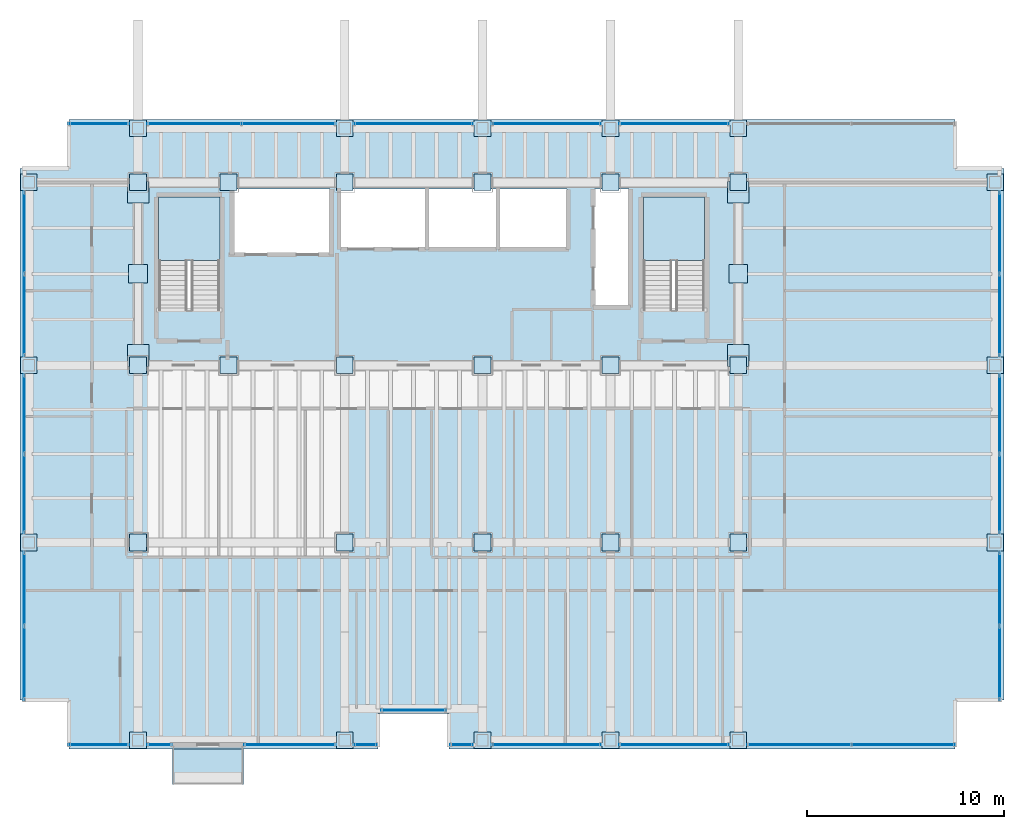
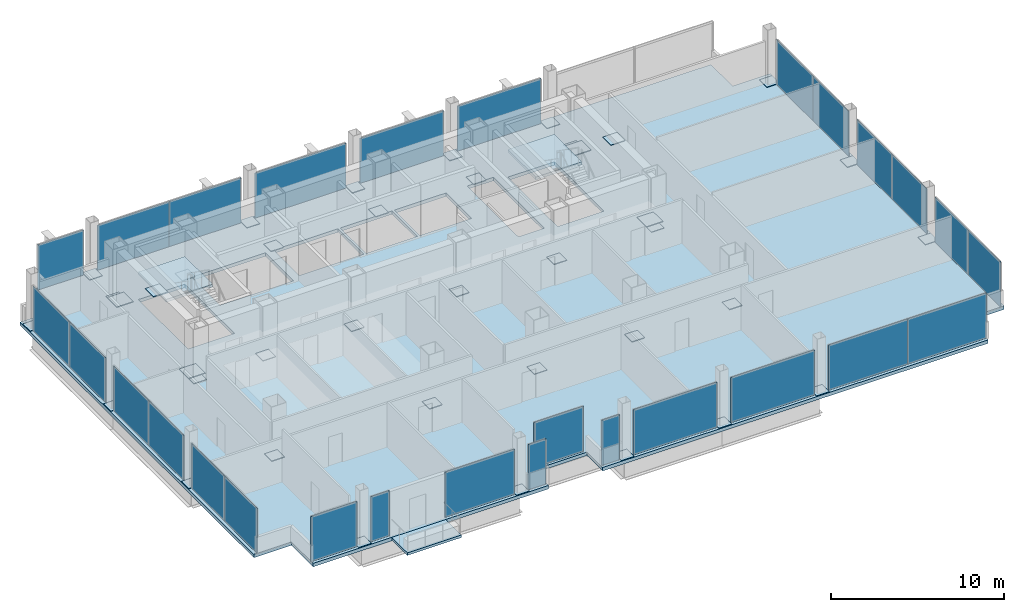
# One storey, part 17 of 21: 67 plates, 4 slabs, 7 openings, 22 elements without a shape of their own.
"""IFC4 building model written with IfcOpenShell, lengths in metres."""

from ifc_helpers import new_model, si_unit, direction, frame, origin, origin_2d, place, context, subcontext, project, spatial, polyline, rectangle, outline, extrude, material, layer, layer_set, type_object, element, aggregate, save


model = new_model("IFC4")

# Units and contexts
model_context = context("Model", 3, precision=1e-05, world=origin(), true_north=direction((0.0, 1.0)))
body_context = subcontext(model_context, "Body", "Model", "MODEL_VIEW")
ifc_project = project(units=[si_unit("LENGTHUNIT", "METRE"), si_unit("AREAUNIT", "SQUARE_METRE"), si_unit("VOLUMEUNIT", "CUBIC_METRE"), si_unit("PLANEANGLEUNIT", "RADIAN"), si_unit("MASSUNIT", "GRAM", prefix="KILO")], contexts=[model_context])

# Site, building, storey
site_placement = place(None, origin())
site = spatial("IfcSite", under=ifc_project, at=site_placement, CompositionType="ELEMENT")
building_placement = place(site_placement, origin())
building = spatial("IfcBuilding", under=site, at=building_placement, Name="Noeulbin Bourse Tower", CompositionType="ELEMENT")
storey_placement = place(building_placement, frame((0.0, 0.0, 81.10009765625)))
storey = spatial("IfcBuildingStorey", under=building, at=storey_placement, Name="L20", CompositionType="ELEMENT", Elevation=81.10009765625)

# Curtain wall, plate
ifc_material_1 = material(Name="Dark Solar-Control Double Glazing", Category="glass")
curtain_wall_type = type_object("IfcCurtainWallType", Name="CW-SYS-2", PredefinedType="NOTDEFINED", material=ifc_material_1)
curtain_wall_1_placement = place(storey_placement, origin())
curtain_wall_1 = element("IfcCurtainWall", 1, at=curtain_wall_1_placement, inside=storey, type_object=curtain_wall_type, Name="Unitised Curtain Wall CW-L20-SREC", PredefinedType="NOTDEFINED")
ifc_layer_1 = layer(ifc_material_1, 0.035888671875)
ifc_layer_set_1 = layer_set([ifc_layer_1], Name="Dark Solar-Control Double Glazing")
plate_type_1 = type_object("IfcPlateType", Name="CW-SYS-2-PNL", PredefinedType="CURTAIN_PANEL", material=ifc_layer_set_1)
plate_1_placement = place(storey_placement, frame((27.5, 11.47998046875, 0.0), z_axis=(0.0, 0.0, 1.0), x_axis=(1.0, 0.0, 0.0)))
plate_1 = element("IfcPlate", 2, at=plate_1_placement, type_object=plate_type_1, Name="Glazed Curtain Panel CW-L20-SREC-P00", PredefinedType="CURTAIN_PANEL", context=body_context, shape_type="SweptSolid", body=[
    extrude(rectangle(XDim=3.300048828125, YDim=0.035888671875, at=origin_2d()), origin(), (0.0, 0.0, 1.0), 3.179931640625),
])
aggregate(curtain_wall_1, [plate_1])

curtain_wall_2_placement = place(storey_placement, origin())
curtain_wall_2 = element("IfcCurtainWall", 3, at=curtain_wall_2_placement, inside=storey, type_object=curtain_wall_type, Name="Unitised Curtain Wall CW-L20-S1-S1", PredefinedType="NOTDEFINED")
plate_2_placement = place(storey_placement, frame((11.510009765625, 9.719970703125, 0.0), z_axis=(0.0, 0.0, 1.0), x_axis=(1.0, 0.0, 0.0)))
plate_2 = element("IfcPlate", 4, at=plate_2_placement, type_object=plate_type_1, Name="Glazed Curtain Panel CW-L20-S1-S1-P00", PredefinedType="CURTAIN_PANEL", context=body_context, shape_type="SweptSolid", body=[
    extrude(rectangle(XDim=3.06005859375, YDim=0.035888671875, at=origin_2d()), origin(), (0.0, 0.0, 1.0), 3.179931640625),
])
aggregate(curtain_wall_2, [plate_2])

curtain_wall_3_placement = place(storey_placement, origin())
curtain_wall_3 = element("IfcCurtainWall", 5, at=curtain_wall_3_placement, inside=storey, type_object=curtain_wall_type, Name="Unitised Curtain Wall CW-L20-S1-S2", PredefinedType="NOTDEFINED")
plate_3_placement = place(storey_placement, frame((14.580078125, 9.719970703125, 0.0), z_axis=(0.0, 0.0, 1.0), x_axis=(1.0, 0.0, 0.0)))
plate_3 = element("IfcPlate", 6, at=plate_3_placement, type_object=plate_type_1, Name="Glazed Curtain Panel CW-L20-S1-S2-P00", PredefinedType="CURTAIN_PANEL", context=body_context, shape_type="SweptSolid", body=[
    extrude(rectangle(XDim=1.239990234375, YDim=0.035888671875, at=origin_2d()), origin(), (0.0, 0.0, 1.0), 3.179931640625),
])
aggregate(curtain_wall_3, [plate_3])

curtain_wall_4_placement = place(storey_placement, origin())
curtain_wall_4 = element("IfcCurtainWall", 7, at=curtain_wall_4_placement, inside=storey, type_object=curtain_wall_type, Name="Unitised Curtain Wall CW-L20-S2-S1", PredefinedType="NOTDEFINED")
plate_4_placement = place(storey_placement, frame((21.219970703125, 9.719970703125, 0.0), z_axis=(0.0, 0.0, 1.0), x_axis=(1.0, 0.0, 0.0)))
plate_4 = element("IfcPlate", 8, at=plate_4_placement, type_object=plate_type_1, Name="Glazed Curtain Panel CW-L20-S2-S1-P00", PredefinedType="CURTAIN_PANEL", context=body_context, shape_type="SweptSolid", body=[
    extrude(rectangle(XDim=4.639892578125, YDim=0.035888671875, at=origin_2d()), origin(), (0.0, 0.0, 1.0), 3.179931640625),
])
aggregate(curtain_wall_4, [plate_4])

curtain_wall_5_placement = place(storey_placement, origin())
curtain_wall_5 = element("IfcCurtainWall", 9, at=curtain_wall_5_placement, inside=storey, type_object=curtain_wall_type, Name="Unitised Curtain Wall CW-L20-S2-S2", PredefinedType="NOTDEFINED")
plate_5_placement = place(storey_placement, frame((25.054931640625, 9.719970703125, 0.0), z_axis=(0.0, 0.0, 1.0), x_axis=(1.0, 0.0, 0.0)))
plate_5 = element("IfcPlate", 10, at=plate_5_placement, type_object=plate_type_1, Name="Glazed Curtain Panel CW-L20-S2-S2-P00", PredefinedType="CURTAIN_PANEL", context=body_context, shape_type="SweptSolid", body=[
    extrude(rectangle(XDim=1.18994140625, YDim=0.035888671875, at=origin_2d()), origin(), (0.0, 0.0, 1.0), 3.179931640625),
])
aggregate(curtain_wall_5, [plate_5])

curtain_wall_6_placement = place(storey_placement, origin())
curtain_wall_6 = element("IfcCurtainWall", 11, at=curtain_wall_6_placement, inside=storey, type_object=curtain_wall_type, Name="Unitised Curtain Wall CW-L20-S3-S1", PredefinedType="NOTDEFINED")
plate_6_placement = place(storey_placement, frame((29.945068359375, 9.719970703125, 0.0), z_axis=(0.0, 0.0, 1.0), x_axis=(1.0, 0.0, 0.0)))
plate_6 = element("IfcPlate", 12, at=plate_6_placement, type_object=plate_type_1, Name="Glazed Curtain Panel CW-L20-S3-S1-P00", PredefinedType="CURTAIN_PANEL", context=body_context, shape_type="SweptSolid", body=[
    extrude(rectangle(XDim=1.18994140625, YDim=0.035888671875, at=origin_2d()), origin(), (0.0, 0.0, 1.0), 3.179931640625),
])
aggregate(curtain_wall_6, [plate_6])

curtain_wall_7_placement = place(storey_placement, origin())
curtain_wall_7 = element("IfcCurtainWall", 13, at=curtain_wall_7_placement, inside=storey, type_object=curtain_wall_type, Name="Unitised Curtain Wall CW-L20-S3-S2", PredefinedType="NOTDEFINED")
plate_7_placement = place(storey_placement, frame((34.25, 9.719970703125, 0.0), z_axis=(0.0, 0.0, 1.0), x_axis=(1.0, 0.0, 0.0)))
plate_7 = element("IfcPlate", 14, at=plate_7_placement, type_object=plate_type_1, Name="Glazed Curtain Panel CW-L20-S3-S2-P00", PredefinedType="CURTAIN_PANEL", context=body_context, shape_type="SweptSolid", body=[
    extrude(rectangle(XDim=5.580078125, YDim=0.035888671875, at=origin_2d()), origin(), (0.0, 0.0, 1.0), 3.179931640625),
])
aggregate(curtain_wall_7, [plate_7])

curtain_wall_8_placement = place(storey_placement, origin())
curtain_wall_8 = element("IfcCurtainWall", 15, at=curtain_wall_8_placement, inside=storey, type_object=curtain_wall_type, Name="Unitised Curtain Wall CW-L20-S3-S3", PredefinedType="NOTDEFINED")
plate_8_placement = place(storey_placement, frame((40.75, 9.719970703125, 0.0), z_axis=(0.0, 0.0, 1.0), x_axis=(1.0, 0.0, 0.0)))
plate_8 = element("IfcPlate", 16, at=plate_8_placement, type_object=plate_type_1, Name="Glazed Curtain Panel CW-L20-S3-S3-P00", PredefinedType="CURTAIN_PANEL", context=body_context, shape_type="SweptSolid", body=[
    extrude(rectangle(XDim=5.580078125, YDim=0.035888671875, at=origin_2d()), origin(), (0.0, 0.0, 1.0), 3.179931640625),
])
aggregate(curtain_wall_8, [plate_8])

# Curtain wall, plates
curtain_wall_9_placement = place(storey_placement, origin())
curtain_wall_9 = element("IfcCurtainWall", 17, at=curtain_wall_9_placement, inside=storey, type_object=curtain_wall_type, Name="Unitised Curtain Wall CW-L20-S3-S4", PredefinedType="NOTDEFINED")
plate_9_placement = place(storey_placement, frame((47.10009765625, 9.719970703125, 0.0), z_axis=(0.0, 0.0, 1.0), x_axis=(1.0, 0.0, 0.0)))
plate_9 = element("IfcPlate", 18, at=plate_9_placement, type_object=plate_type_1, Name="Glazed Curtain Panel CW-L20-S3-S4-P00", PredefinedType="CURTAIN_PANEL", context=body_context, shape_type="SweptSolid", body=[
    extrude(rectangle(XDim=5.280029296875, YDim=0.035888671875, at=origin_2d()), origin(), (0.0, 0.0, 1.0), 3.179931640625),
])
plate_10_placement = place(storey_placement, frame((52.3798828125, 9.719970703125, 0.0), z_axis=(0.0, 0.0, 1.0), x_axis=(1.0, 0.0, 0.0)))
plate_10 = element("IfcPlate", 19, at=plate_10_placement, type_object=plate_type_1, Name="Glazed Curtain Panel CW-L20-S3-S4-P01", PredefinedType="CURTAIN_PANEL", context=body_context, shape_type="SweptSolid", body=[
    extrude(rectangle(XDim=5.280029296875, YDim=0.035888671875, at=origin_2d()), origin(), (0.0, 0.0, 1.0), 3.179931640625),
])
aggregate(curtain_wall_9, [plate_9, plate_10])

# Curtain wall, plate
curtain_wall_10_placement = place(storey_placement, origin())
curtain_wall_10 = element("IfcCurtainWall", 20, at=curtain_wall_10_placement, inside=storey, type_object=curtain_wall_type, Name="Unitised Curtain Wall CW-L20-N-S1", PredefinedType="NOTDEFINED")
plate_11_placement = place(storey_placement, frame((11.510009765625, 41.280029296875, 0.0), z_axis=(0.0, 0.0, 1.0), x_axis=(1.0, 0.0, 0.0)))
plate_11 = element("IfcPlate", 21, at=plate_11_placement, type_object=plate_type_1, Name="Glazed Curtain Panel CW-L20-N-S1-P00", PredefinedType="CURTAIN_PANEL", context=body_context, shape_type="SweptSolid", body=[
    extrude(rectangle(XDim=3.06005859375, YDim=0.035888671875, at=origin_2d()), origin(), (0.0, 0.0, 1.0), 3.179931640625),
])
aggregate(curtain_wall_10, [plate_11])

# Curtain wall, plates
curtain_wall_11_placement = place(storey_placement, origin())
curtain_wall_11 = element("IfcCurtainWall", 22, at=curtain_wall_11_placement, inside=storey, type_object=curtain_wall_type, Name="Unitised Curtain Wall CW-L20-N-S2", PredefinedType="NOTDEFINED")
plate_12_placement = place(storey_placement, frame((16.35498046875, 41.280029296875, 0.0), z_axis=(0.0, 0.0, 1.0), x_axis=(1.0, 0.0, 0.0)))
plate_12 = element("IfcPlate", 23, at=plate_12_placement, type_object=plate_type_1, Name="Glazed Curtain Panel CW-L20-N-S2-P00", PredefinedType="CURTAIN_PANEL", context=body_context, shape_type="SweptSolid", body=[
    extrude(rectangle(XDim=4.7900390625, YDim=0.035888671875, at=origin_2d()), origin(), (0.0, 0.0, 1.0), 3.179931640625),
])
plate_13_placement = place(storey_placement, frame((21.14501953125, 41.280029296875, 0.0), z_axis=(0.0, 0.0, 1.0), x_axis=(1.0, 0.0, 0.0)))
plate_13 = element("IfcPlate", 24, at=plate_13_placement, type_object=plate_type_1, Name="Glazed Curtain Panel CW-L20-N-S2-P01", PredefinedType="CURTAIN_PANEL", context=body_context, shape_type="SweptSolid", body=[
    extrude(rectangle(XDim=4.7900390625, YDim=0.035888671875, at=origin_2d()), origin(), (0.0, 0.0, 1.0), 3.179931640625),
])
aggregate(curtain_wall_11, [plate_12, plate_13])

# Curtain wall, plate
curtain_wall_12_placement = place(storey_placement, origin())
curtain_wall_12 = element("IfcCurtainWall", 25, at=curtain_wall_12_placement, inside=storey, type_object=curtain_wall_type, Name="Unitised Curtain Wall CW-L20-N-S3", PredefinedType="NOTDEFINED")
plate_14_placement = place(storey_placement, frame((27.5, 41.280029296875, 0.0), z_axis=(0.0, 0.0, 1.0), x_axis=(1.0, 0.0, 0.0)))
plate_14 = element("IfcPlate", 26, at=plate_14_placement, type_object=plate_type_1, Name="Glazed Curtain Panel CW-L20-N-S3-P00", PredefinedType="CURTAIN_PANEL", context=body_context, shape_type="SweptSolid", body=[
    extrude(rectangle(XDim=6.080078125, YDim=0.035888671875, at=origin_2d()), origin(), (0.0, 0.0, 1.0), 3.179931640625),
])
aggregate(curtain_wall_12, [plate_14])

curtain_wall_13_placement = place(storey_placement, origin())
curtain_wall_13 = element("IfcCurtainWall", 27, at=curtain_wall_13_placement, inside=storey, type_object=curtain_wall_type, Name="Unitised Curtain Wall CW-L20-N-S4", PredefinedType="NOTDEFINED")
plate_15_placement = place(storey_placement, frame((34.25, 41.280029296875, 0.0), z_axis=(0.0, 0.0, 1.0), x_axis=(1.0, 0.0, 0.0)))
plate_15 = element("IfcPlate", 28, at=plate_15_placement, type_object=plate_type_1, Name="Glazed Curtain Panel CW-L20-N-S4-P00", PredefinedType="CURTAIN_PANEL", context=body_context, shape_type="SweptSolid", body=[
    extrude(rectangle(XDim=5.580078125, YDim=0.035888671875, at=origin_2d()), origin(), (0.0, 0.0, 1.0), 3.179931640625),
])
aggregate(curtain_wall_13, [plate_15])

curtain_wall_14_placement = place(storey_placement, origin())
curtain_wall_14 = element("IfcCurtainWall", 29, at=curtain_wall_14_placement, inside=storey, type_object=curtain_wall_type, Name="Unitised Curtain Wall CW-L20-N-S5", PredefinedType="NOTDEFINED")
plate_16_placement = place(storey_placement, frame((40.75, 41.280029296875, 0.0), z_axis=(0.0, 0.0, 1.0), x_axis=(1.0, 0.0, 0.0)))
plate_16 = element("IfcPlate", 30, at=plate_16_placement, type_object=plate_type_1, Name="Glazed Curtain Panel CW-L20-N-S5-P00", PredefinedType="CURTAIN_PANEL", context=body_context, shape_type="SweptSolid", body=[
    extrude(rectangle(XDim=5.580078125, YDim=0.035888671875, at=origin_2d()), origin(), (0.0, 0.0, 1.0), 3.179931640625),
])
aggregate(curtain_wall_14, [plate_16])

# Curtain wall, plates
curtain_wall_15_placement = place(storey_placement, origin())
curtain_wall_15 = element("IfcCurtainWall", 31, at=curtain_wall_15_placement, inside=storey, type_object=curtain_wall_type, Name="Unitised Curtain Wall CW-L20-W-S1", PredefinedType="NOTDEFINED")
plate_17_placement = place(storey_placement, frame((7.719970703125, 13.8701171875, 0.0), z_axis=(0.0, 0.0, 1.0), x_axis=(0.0, 1.0, 0.0)))
plate_17 = element("IfcPlate", 32, at=plate_17_placement, type_object=plate_type_1, Name="Glazed Curtain Panel CW-L20-W-S1-P00", PredefinedType="CURTAIN_PANEL", context=body_context, shape_type="SweptSolid", body=[
    extrude(rectangle(XDim=3.780029296875, YDim=0.035888671875, at=origin_2d()), origin(), (0.0, 0.0, 1.0), 3.179931640625),
])
plate_18_placement = place(storey_placement, frame((7.719970703125, 17.64990234375, 0.0), z_axis=(0.0, 0.0, 1.0), x_axis=(0.0, 1.0, 0.0)))
plate_18 = element("IfcPlate", 33, at=plate_18_placement, type_object=plate_type_1, Name="Glazed Curtain Panel CW-L20-W-S1-P01", PredefinedType="CURTAIN_PANEL", context=body_context, shape_type="SweptSolid", body=[
    extrude(rectangle(XDim=3.780029296875, YDim=0.035888671875, at=origin_2d()), origin(), (0.0, 0.0, 1.0), 3.179931640625),
])
aggregate(curtain_wall_15, [plate_17, plate_18])

curtain_wall_16_placement = place(storey_placement, origin())
curtain_wall_16 = element("IfcCurtainWall", 34, at=curtain_wall_16_placement, inside=storey, type_object=curtain_wall_type, Name="Unitised Curtain Wall CW-L20-W-S2", PredefinedType="NOTDEFINED")
plate_19_placement = place(storey_placement, frame((7.719970703125, 22.47998046875, 0.0), z_axis=(0.0, 0.0, 1.0), x_axis=(0.0, 1.0, 0.0)))
plate_19 = element("IfcPlate", 35, at=plate_19_placement, type_object=plate_type_1, Name="Glazed Curtain Panel CW-L20-W-S2-P00", PredefinedType="CURTAIN_PANEL", context=body_context, shape_type="SweptSolid", body=[
    extrude(rectangle(XDim=4.0400390625, YDim=0.035888671875, at=origin_2d()), origin(), (0.0, 0.0, 1.0), 3.179931640625),
])
plate_20_placement = place(storey_placement, frame((7.719970703125, 26.52001953125, 0.0), z_axis=(0.0, 0.0, 1.0), x_axis=(0.0, 1.0, 0.0)))
plate_20 = element("IfcPlate", 36, at=plate_20_placement, type_object=plate_type_1, Name="Glazed Curtain Panel CW-L20-W-S2-P01", PredefinedType="CURTAIN_PANEL", context=body_context, shape_type="SweptSolid", body=[
    extrude(rectangle(XDim=4.0400390625, YDim=0.035888671875, at=origin_2d()), origin(), (0.0, 0.0, 1.0), 3.179931640625),
])
aggregate(curtain_wall_16, [plate_19, plate_20])

curtain_wall_17_placement = place(storey_placement, origin())
curtain_wall_17 = element("IfcCurtainWall", 37, at=curtain_wall_17_placement, inside=storey, type_object=curtain_wall_type, Name="Unitised Curtain Wall CW-L20-W-S3", PredefinedType="NOTDEFINED")
plate_21_placement = place(storey_placement, frame((7.719970703125, 31.554931640625, 0.0), z_axis=(0.0, 0.0, 1.0), x_axis=(0.0, 1.0, 0.0)))
plate_21 = element("IfcPlate", 38, at=plate_21_placement, type_object=plate_type_1, Name="Glazed Curtain Panel CW-L20-W-S3-P00", PredefinedType="CURTAIN_PANEL", context=body_context, shape_type="SweptSolid", body=[
    extrude(rectangle(XDim=4.18994140625, YDim=0.035888671875, at=origin_2d()), origin(), (0.0, 0.0, 1.0), 3.179931640625),
])
plate_22_placement = place(storey_placement, frame((7.719970703125, 35.7451171875, 0.0), z_axis=(0.0, 0.0, 1.0), x_axis=(0.0, 1.0, 0.0)))
plate_22 = element("IfcPlate", 39, at=plate_22_placement, type_object=plate_type_1, Name="Glazed Curtain Panel CW-L20-W-S3-P01", PredefinedType="CURTAIN_PANEL", context=body_context, shape_type="SweptSolid", body=[
    extrude(rectangle(XDim=4.18994140625, YDim=0.035888671875, at=origin_2d()), origin(), (0.0, 0.0, 1.0), 3.179931640625),
])
aggregate(curtain_wall_17, [plate_21, plate_22])

curtain_wall_18_placement = place(storey_placement, origin())
curtain_wall_18 = element("IfcCurtainWall", 40, at=curtain_wall_18_placement, inside=storey, type_object=curtain_wall_type, Name="Unitised Curtain Wall CW-L20-E-S1", PredefinedType="NOTDEFINED")
plate_23_placement = place(storey_placement, frame((57.280029296875, 13.8701171875, 0.0), z_axis=(0.0, 0.0, 1.0), x_axis=(0.0, 1.0, 0.0)))
plate_23 = element("IfcPlate", 41, at=plate_23_placement, type_object=plate_type_1, Name="Glazed Curtain Panel CW-L20-E-S1-P00", PredefinedType="CURTAIN_PANEL", context=body_context, shape_type="SweptSolid", body=[
    extrude(rectangle(XDim=3.780029296875, YDim=0.035888671875, at=origin_2d()), origin(), (0.0, 0.0, 1.0), 3.179931640625),
])
plate_24_placement = place(storey_placement, frame((57.280029296875, 17.64990234375, 0.0), z_axis=(0.0, 0.0, 1.0), x_axis=(0.0, 1.0, 0.0)))
plate_24 = element("IfcPlate", 42, at=plate_24_placement, type_object=plate_type_1, Name="Glazed Curtain Panel CW-L20-E-S1-P01", PredefinedType="CURTAIN_PANEL", context=body_context, shape_type="SweptSolid", body=[
    extrude(rectangle(XDim=3.780029296875, YDim=0.035888671875, at=origin_2d()), origin(), (0.0, 0.0, 1.0), 3.179931640625),
])
aggregate(curtain_wall_18, [plate_23, plate_24])

curtain_wall_19_placement = place(storey_placement, origin())
curtain_wall_19 = element("IfcCurtainWall", 43, at=curtain_wall_19_placement, inside=storey, type_object=curtain_wall_type, Name="Unitised Curtain Wall CW-L20-E-S2", PredefinedType="NOTDEFINED")
plate_25_placement = place(storey_placement, frame((57.280029296875, 22.47998046875, 0.0), z_axis=(0.0, 0.0, 1.0), x_axis=(0.0, 1.0, 0.0)))
plate_25 = element("IfcPlate", 44, at=plate_25_placement, type_object=plate_type_1, Name="Glazed Curtain Panel CW-L20-E-S2-P00", PredefinedType="CURTAIN_PANEL", context=body_context, shape_type="SweptSolid", body=[
    extrude(rectangle(XDim=4.0400390625, YDim=0.035888671875, at=origin_2d()), origin(), (0.0, 0.0, 1.0), 3.179931640625),
])
plate_26_placement = place(storey_placement, frame((57.280029296875, 26.52001953125, 0.0), z_axis=(0.0, 0.0, 1.0), x_axis=(0.0, 1.0, 0.0)))
plate_26 = element("IfcPlate", 45, at=plate_26_placement, type_object=plate_type_1, Name="Glazed Curtain Panel CW-L20-E-S2-P01", PredefinedType="CURTAIN_PANEL", context=body_context, shape_type="SweptSolid", body=[
    extrude(rectangle(XDim=4.0400390625, YDim=0.035888671875, at=origin_2d()), origin(), (0.0, 0.0, 1.0), 3.179931640625),
])
aggregate(curtain_wall_19, [plate_25, plate_26])

curtain_wall_20_placement = place(storey_placement, origin())
curtain_wall_20 = element("IfcCurtainWall", 46, at=curtain_wall_20_placement, inside=storey, type_object=curtain_wall_type, Name="Unitised Curtain Wall CW-L20-E-S3", PredefinedType="NOTDEFINED")
plate_27_placement = place(storey_placement, frame((57.280029296875, 31.554931640625, 0.0), z_axis=(0.0, 0.0, 1.0), x_axis=(0.0, 1.0, 0.0)))
plate_27 = element("IfcPlate", 47, at=plate_27_placement, type_object=plate_type_1, Name="Glazed Curtain Panel CW-L20-E-S3-P00", PredefinedType="CURTAIN_PANEL", context=body_context, shape_type="SweptSolid", body=[
    extrude(rectangle(XDim=4.18994140625, YDim=0.035888671875, at=origin_2d()), origin(), (0.0, 0.0, 1.0), 3.179931640625),
])
plate_28_placement = place(storey_placement, frame((57.280029296875, 35.7451171875, 0.0), z_axis=(0.0, 0.0, 1.0), x_axis=(0.0, 1.0, 0.0)))
plate_28 = element("IfcPlate", 48, at=plate_28_placement, type_object=plate_type_1, Name="Glazed Curtain Panel CW-L20-E-S3-P01", PredefinedType="CURTAIN_PANEL", context=body_context, shape_type="SweptSolid", body=[
    extrude(rectangle(XDim=4.18994140625, YDim=0.035888671875, at=origin_2d()), origin(), (0.0, 0.0, 1.0), 3.179931640625),
])
aggregate(curtain_wall_20, [plate_27, plate_28])

# Plates
ifc_material_2 = material(Name="Steel S355", Category="steel")
ifc_layer_2 = layer(ifc_material_2, 0.030029296875)
ifc_layer_set_2 = layer_set([ifc_layer_2], Name="Steel S355")
plate_type_2 = type_object("IfcPlateType", Name="PLT-BN1", PredefinedType="USERDEFINED", material=ifc_layer_set_2)
for number, where, z_axis, x_axis, name in (
    (49, (13.5, 29.0, 0.0048828125), (0.0, 0.0, 1.0), (1.0, 0.0, 0.0), "Mega-Column Splice Plate BN1-L20-01"),
    (50, (13.5, 38.300048828125, 0.0048828125), (0.0, 0.0, 1.0), (1.0, 0.0, 0.0), "Mega-Column Splice Plate BN1-L20-02"),
    (51, (18.10009765625, 29.0, 0.0048828125), (0.0, 0.0, 1.0), (1.0, 0.0, 0.0), "Mega-Column Splice Plate BN1-L20-03"),
    (52, (18.10009765625, 38.300048828125, 0.0048828125), (0.0, 0.0, 1.0), (1.0, 0.0, 0.0), "Mega-Column Splice Plate BN1-L20-04"),
    (53, (24.0, 29.0, 0.0048828125), (0.0, 0.0, 1.0), (1.0, 0.0, 0.0), "Mega-Column Splice Plate BN1-L20-05"),
    (54, (24.0, 38.300048828125, 0.0048828125), (0.0, 0.0, 1.0), (1.0, 0.0, 0.0), "Mega-Column Splice Plate BN1-L20-06"),
    (55, (31.0, 29.0, 0.0048828125), (0.0, 0.0, 1.0), (1.0, 0.0, 0.0), "Mega-Column Splice Plate BN1-L20-07"),
    (56, (31.0, 38.300048828125, 0.0048828125), (0.0, 0.0, 1.0), (1.0, 0.0, 0.0), "Mega-Column Splice Plate BN1-L20-08"),
    (57, (37.5, 29.0, 0.0048828125), (0.0, 0.0, 1.0), (1.0, 0.0, 0.0), "Mega-Column Splice Plate BN1-L20-09"),
    (58, (37.5, 38.300048828125, 0.0048828125), (0.0, 0.0, 1.0), (1.0, 0.0, 0.0), "Mega-Column Splice Plate BN1-L20-10"),
    (59, (44.0, 29.0, 0.0048828125), (0.0, 0.0, 1.0), (1.0, 0.0, 0.0), "Mega-Column Splice Plate BN1-L20-11"),
    (60, (44.0, 38.300048828125, 0.0048828125), (0.0, 0.0, 1.0), (1.0, 0.0, 0.0), "Mega-Column Splice Plate BN1-L20-12"),
    (61, (13.5, 20.0, 0.0048828125), (0.0, 0.0, 1.0), (1.0, 0.0, 0.0), "Mega-Column Splice Plate BN1-L20-13"),
    (62, (24.0, 20.0, 0.0048828125), (0.0, 0.0, 1.0), (1.0, 0.0, 0.0), "Mega-Column Splice Plate BN1-L20-14"),
    (63, (31.0, 20.0, 0.0048828125), (0.0, 0.0, 1.0), (1.0, 0.0, 0.0), "Mega-Column Splice Plate BN1-L20-15"),
    (64, (37.5, 20.0, 0.0048828125), (0.0, 0.0, 1.0), (1.0, 0.0, 0.0), "Mega-Column Splice Plate BN1-L20-16"),
    (65, (44.0, 20.0, 0.0048828125), (0.0, 0.0, 1.0), (1.0, 0.0, 0.0), "Mega-Column Splice Plate BN1-L20-17"),
    (66, (7.949951171875, 20.0, 0.0048828125), (0.0, 0.0, 1.0), (1.0, 0.0, 0.0), "Perimeter Column Splice Plate BN1-L20-01"),
    (67, (7.949951171875, 29.0, 0.0048828125), (0.0, 0.0, 1.0), (1.0, 0.0, 0.0), "Perimeter Column Splice Plate BN1-L20-02"),
    (68, (7.949951171875, 38.300048828125, 0.0048828125), (0.0, 0.0, 1.0), (1.0, 0.0, 0.0), "Perimeter Column Splice Plate BN1-L20-03"),
    (69, (13.5, 9.949951171875, 0.0048828125), (0.0, 0.0, 1.0), (1.0, 0.0, 0.0), "Perimeter Column Splice Plate BN1-L20-04"),
    (70, (13.5, 41.050048828125, 0.0048828125), (0.0, 0.0, 1.0), (1.0, 0.0, 0.0), "Perimeter Column Splice Plate BN1-L20-05"),
    (71, (24.0, 9.949951171875, 0.0048828125), (0.0, 0.0, 1.0), (1.0, 0.0, 0.0), "Perimeter Column Splice Plate BN1-L20-06"),
    (72, (24.0, 41.050048828125, 0.0048828125), (0.0, 0.0, 1.0), (1.0, 0.0, 0.0), "Perimeter Column Splice Plate BN1-L20-07"),
    (73, (31.0, 9.949951171875, 0.0048828125), (0.0, 0.0, 1.0), (1.0, 0.0, 0.0), "Perimeter Column Splice Plate BN1-L20-08"),
    (74, (31.0, 41.050048828125, 0.0048828125), (0.0, 0.0, 1.0), (1.0, 0.0, 0.0), "Perimeter Column Splice Plate BN1-L20-09"),
    (75, (37.5, 9.949951171875, 0.0048828125), (0.0, 0.0, 1.0), (1.0, 0.0, 0.0), "Perimeter Column Splice Plate BN1-L20-10"),
    (76, (37.5, 41.050048828125, 0.0048828125), (0.0, 0.0, 1.0), (1.0, 0.0, 0.0), "Perimeter Column Splice Plate BN1-L20-11"),
    (77, (44.0, 9.949951171875, 0.0048828125), (0.0, 0.0, 1.0), (1.0, 0.0, 0.0), "Perimeter Column Splice Plate BN1-L20-12"),
    (78, (44.0, 41.050048828125, 0.0048828125), (0.0, 0.0, 1.0), (1.0, 0.0, 0.0), "Perimeter Column Splice Plate BN1-L20-13"),
    (79, (57.050048828125, 20.0, 0.0048828125), (0.0, 0.0, 1.0), (1.0, 0.0, 0.0), "Perimeter Column Splice Plate BN1-L20-14"),
    (80, (57.050048828125, 29.0, 0.0048828125), (0.0, 0.0, 1.0), (1.0, 0.0, 0.0), "Perimeter Column Splice Plate BN1-L20-15"),
    (81, (57.050048828125, 38.300048828125, 0.0048828125), (0.0, 0.0, 1.0), (1.0, 0.0, 0.0), "Perimeter Column Splice Plate BN1-L20-16"),
):
    element("IfcPlate", number, at=place(storey_placement, frame(where, z_axis=z_axis, x_axis=x_axis)), inside=storey, type_object=plate_type_2, Name=name, ObjectType="SPLICE PLATE", PredefinedType="USERDEFINED", context=body_context, shape_type="SweptSolid", body=[
        extrude(rectangle(XDim=0.85009765625, YDim=0.85009765625, at=origin_2d()), origin(), (0.0, 0.0, 1.0), 0.030029296875),
    ])
ifc_material_3 = material(Name="Steel S460", Category="steel")
ifc_layer_3 = layer(ifc_material_3, 0.035888671875)
ifc_layer_set_3 = layer_set([ifc_layer_3], Name="Steel S460")
plate_type_3 = type_object("IfcPlateType", Name="PLT-KN2", PredefinedType="USERDEFINED", material=ifc_layer_set_3)
for number, where, z_axis, x_axis, name in (
    (82, (13.5, 29.5, 0.18212890625), (0.0, 0.0, 1.0), (1.0, 0.0, 0.0), "Core Flank Brace South Gusset Plate KN2-L20-WA"),
    (83, (13.5, 37.800048828125, 0.18212890625), (0.0, 0.0, 1.0), (1.0, 0.0, 0.0), "Core Flank Brace North Gusset Plate KN2-L20-WB"),
    (84, (44.0, 29.5, 0.18212890625), (0.0, 0.0, 1.0), (1.0, 0.0, 0.0), "Core Flank Brace South Gusset Plate KN2-L20-EA"),
    (85, (44.0, 37.800048828125, 0.18212890625), (0.0, 0.0, 1.0), (1.0, 0.0, 0.0), "Core Flank Brace North Gusset Plate KN2-L20-EB"),
):
    element("IfcPlate", number, at=place(storey_placement, frame(where, z_axis=z_axis, x_axis=x_axis)), inside=storey, type_object=plate_type_3, Name=name, ObjectType="GUSSET PLATE", PredefinedType="USERDEFINED", context=body_context, shape_type="SweptSolid", body=[
        extrude(rectangle(XDim=1.10009765625, YDim=1.10009765625, at=origin_2d()), origin(), (0.0, 0.0, 1.0), 0.035888671875),
    ])
ifc_layer_4 = layer(ifc_material_2, 0.031982421875)
ifc_layer_set_4 = layer_set([ifc_layer_4], Name="Steel S355")
plate_type_4 = type_object("IfcPlateType", Name="PLT-KN3", PredefinedType="USERDEFINED", material=ifc_layer_set_4)
for number, where, z_axis, x_axis, name in (
    (86, (13.5, 33.64990234375, 3.35400390625), (0.0, 0.0, 1.0), (1.0, 0.0, 0.0), "Core Flank Brace Apex End Plate KN3-L20-W"),
    (87, (44.0, 33.64990234375, 3.35400390625), (0.0, 0.0, 1.0), (1.0, 0.0, 0.0), "Core Flank Brace Apex End Plate KN3-L20-E"),
):
    element("IfcPlate", number, at=place(storey_placement, frame(where, z_axis=z_axis, x_axis=x_axis)), inside=storey, type_object=plate_type_4, Name=name, ObjectType="END PLATE", PredefinedType="USERDEFINED", context=body_context, shape_type="SweptSolid", body=[
        extrude(rectangle(XDim=0.949951171875, YDim=0.949951171875, at=origin_2d()), origin(), (0.0, 0.0, 1.0), 0.031982421875),
    ])

# Stair, slab
ifc_material_4 = material(Name="Concrete C40/50", Category="concrete")
stair_type = type_object("IfcStairType", Name="STR-CORE-1560", PredefinedType="HALF_TURN_STAIR", material=ifc_material_4)
stair_1_placement = place(storey_placement, origin())
stair_1 = element("IfcStair", 88, at=stair_1_placement, inside=storey, type_object=stair_type, Name="L20 ST-1", PredefinedType="HALF_TURN_STAIR")
ifc_layer_5 = layer(ifc_material_4, 0.199951171875)
ifc_layer_set_5 = layer_set([ifc_layer_5], Name="Concrete C40/50")
slab_type_1 = type_object("IfcSlabType", Name="SLB-LND-200", PredefinedType="LANDING", material=ifc_layer_set_5)
slab_1_placement = place(storey_placement, frame((0.0, 0.0, 1.75)))
slab_1 = element("IfcSlab", 89, at=slab_1_placement, type_object=slab_type_1, Name="ST-1 landing 1", PredefinedType="LANDING", context=body_context, shape_type="SweptSolid", body=[
    extrude(outline(polyline([(17.64990234375, 34.330078125), (17.64990234375, 37.5439453125), (14.550048828125, 37.5439453125), (14.550048828125, 34.330078125), (17.64990234375, 34.330078125)])), origin(), (0.0, 0.0, 1.0), 0.199951171875),
])
aggregate(stair_1, [slab_1])

stair_2_placement = place(storey_placement, origin())
stair_2 = element("IfcStair", 90, at=stair_2_placement, inside=storey, type_object=stair_type, Name="L20 ST-2", PredefinedType="HALF_TURN_STAIR")
slab_2_placement = place(storey_placement, frame((0.0, 0.0, 1.75)))
slab_2 = element("IfcSlab", 91, at=slab_2_placement, type_object=slab_type_1, Name="ST-2 landing 1", PredefinedType="LANDING", context=body_context, shape_type="SweptSolid", body=[
    extrude(outline(polyline([(42.280029296875, 34.330078125), (42.280029296875, 37.5439453125), (39.179931640625, 37.5439453125), (39.179931640625, 34.330078125), (42.280029296875, 34.330078125)])), origin(), (0.0, 0.0, 1.0), 0.199951171875),
])
aggregate(stair_2, [slab_2])

# Slab, openings
ifc_layer_6 = layer(ifc_material_4, 0.239990234375)
ifc_layer_set_6 = layer_set([ifc_layer_6], Name="Concrete C40/50")
slab_type_2 = type_object("IfcSlabType", Name="SLB-TRF-240", PredefinedType="FLOOR", material=ifc_layer_set_6)
slab_3_placement = place(storey_placement, frame((0.0, 0.0, -0.239990234375)))
slab_3 = element("IfcSlab", 92, at=slab_3_placement, inside=storey, type_object=slab_type_2, Name="Tower Structural Floor Slab L20", PredefinedType="FLOOR", context=body_context, shape_type="SweptSolid", body=[
    extrude(outline(polyline([(10.0, 9.5), (25.699951171875, 9.5), (25.699951171875, 11.300048828125), (29.300048828125, 11.300048828125), (29.300048828125, 9.5), (55.0, 9.5), (55.0, 12.0), (57.5, 12.0), (57.5, 39.0), (55.0, 39.0), (55.0, 41.5), (10.0, 41.5), (10.0, 39.0), (7.5, 39.0), (7.5, 12.0), (10.0, 12.0), (10.0, 9.5)]), holes=[polyline([(17.64990234375, 31.81005859375), (17.64990234375, 37.5439453125), (14.550048828125, 37.5439453125), (14.550048828125, 31.81005859375), (17.64990234375, 31.81005859375)]), polyline([(42.280029296875, 31.81005859375), (42.280029296875, 37.5439453125), (39.179931640625, 37.5439453125), (39.179931640625, 31.81005859375), (42.280029296875, 31.81005859375)]), polyline([(18.35009765625, 34.699951171875), (23.25, 34.699951171875), (23.25, 37.949951171875), (18.35009765625, 37.949951171875), (18.35009765625, 34.699951171875)]), polyline([(36.699951171875, 32.050048828125), (38.449951171875, 32.050048828125), (38.449951171875, 37.949951171875), (36.699951171875, 37.949951171875), (36.699951171875, 32.050048828125)]), polyline([(23.800048828125, 35.0), (28.10009765625, 35.0), (28.10009765625, 37.949951171875), (23.800048828125, 37.949951171875), (23.800048828125, 35.0)]), polyline([(28.25, 35.0), (31.699951171875, 35.0), (31.699951171875, 37.949951171875), (28.25, 37.949951171875), (28.25, 35.0)]), polyline([(31.85009765625, 35.0), (35.300048828125, 35.0), (35.300048828125, 37.949951171875), (31.85009765625, 37.949951171875), (31.85009765625, 35.0)])]), origin(), (0.0, 0.0, 1.0), 0.239990234375),
])
opening_1_placement = place(slab_3_placement, frame((0.0, 0.0, -0.010009765625)))
element("IfcOpeningElement", 93, at=opening_1_placement, cuts=slab_3, Name="Slab Shaft Opening SLB-L20-TWR-1", PredefinedType="OPENING", context=body_context, shape_type="SweptSolid", body=[
    extrude(outline(polyline([(17.64990234375, 31.81005859375), (17.64990234375, 37.5439453125), (14.550048828125, 37.5439453125), (14.550048828125, 31.81005859375), (17.64990234375, 31.81005859375)])), origin(), (0.0, 0.0, 1.0), 0.260009765625),
])
opening_2_placement = place(slab_3_placement, frame((0.0, 0.0, -0.010009765625)))
element("IfcOpeningElement", 94, at=opening_2_placement, cuts=slab_3, Name="Slab Shaft Opening SLB-L20-TWR-2", PredefinedType="OPENING", context=body_context, shape_type="SweptSolid", body=[
    extrude(outline(polyline([(42.280029296875, 31.81005859375), (42.280029296875, 37.5439453125), (39.179931640625, 37.5439453125), (39.179931640625, 31.81005859375), (42.280029296875, 31.81005859375)])), origin(), (0.0, 0.0, 1.0), 0.260009765625),
])
opening_3_placement = place(slab_3_placement, frame((0.0, 0.0, -0.010009765625)))
element("IfcOpeningElement", 95, at=opening_3_placement, cuts=slab_3, Name="Slab Shaft Opening SLB-L20-TWR-3", PredefinedType="OPENING", context=body_context, shape_type="SweptSolid", body=[
    extrude(outline(polyline([(18.35009765625, 34.699951171875), (23.25, 34.699951171875), (23.25, 37.949951171875), (18.35009765625, 37.949951171875), (18.35009765625, 34.699951171875)])), origin(), (0.0, 0.0, 1.0), 0.260009765625),
])
opening_4_placement = place(slab_3_placement, frame((0.0, 0.0, -0.010009765625)))
element("IfcOpeningElement", 96, at=opening_4_placement, cuts=slab_3, Name="Slab Shaft Opening SLB-L20-TWR-4", PredefinedType="OPENING", context=body_context, shape_type="SweptSolid", body=[
    extrude(outline(polyline([(36.699951171875, 32.050048828125), (38.449951171875, 32.050048828125), (38.449951171875, 37.949951171875), (36.699951171875, 37.949951171875), (36.699951171875, 32.050048828125)])), origin(), (0.0, 0.0, 1.0), 0.260009765625),
])
opening_5_placement = place(slab_3_placement, frame((0.0, 0.0, -0.010009765625)))
element("IfcOpeningElement", 97, at=opening_5_placement, cuts=slab_3, Name="Slab Shaft Opening SLB-L20-TWR-5", PredefinedType="OPENING", context=body_context, shape_type="SweptSolid", body=[
    extrude(outline(polyline([(23.800048828125, 35.0), (28.10009765625, 35.0), (28.10009765625, 37.949951171875), (23.800048828125, 37.949951171875), (23.800048828125, 35.0)])), origin(), (0.0, 0.0, 1.0), 0.260009765625),
])
opening_6_placement = place(slab_3_placement, frame((0.0, 0.0, -0.010009765625)))
element("IfcOpeningElement", 98, at=opening_6_placement, cuts=slab_3, Name="Slab Shaft Opening SLB-L20-TWR-6", PredefinedType="OPENING", context=body_context, shape_type="SweptSolid", body=[
    extrude(outline(polyline([(28.25, 35.0), (31.699951171875, 35.0), (31.699951171875, 37.949951171875), (28.25, 37.949951171875), (28.25, 35.0)])), origin(), (0.0, 0.0, 1.0), 0.260009765625),
])
opening_7_placement = place(slab_3_placement, frame((0.0, 0.0, -0.010009765625)))
element("IfcOpeningElement", 99, at=opening_7_placement, cuts=slab_3, Name="Slab Shaft Opening SLB-L20-TWR-7", PredefinedType="OPENING", context=body_context, shape_type="SweptSolid", body=[
    extrude(outline(polyline([(31.85009765625, 35.0), (35.300048828125, 35.0), (35.300048828125, 37.949951171875), (31.85009765625, 37.949951171875), (31.85009765625, 35.0)])), origin(), (0.0, 0.0, 1.0), 0.260009765625),
])

# Slab
ifc_layer_7 = layer(ifc_material_4, 0.179931640625)
ifc_layer_set_7 = layer_set([ifc_layer_7], Name="Concrete C40/50")
slab_type_3 = type_object("IfcSlabType", Name="SLB-TYP-180", PredefinedType="FLOOR", material=ifc_layer_set_7)
slab_4_placement = place(storey_placement, frame((0.0, 0.0, -0.18017578125)))
element("IfcSlab", 100, at=slab_4_placement, inside=storey, type_object=slab_type_3, Name="Cantilevered Tree-Balcony Slab L20", PredefinedType="FLOOR", context=body_context, shape_type="SweptSolid", body=[
    extrude(outline(polyline([(15.25, 7.699951171875), (18.85009765625, 7.699951171875), (18.85009765625, 9.5), (15.25, 9.5), (15.25, 7.699951171875)])), origin(), (0.0, 0.0, 1.0), 0.18017578125),
])

save(model, "model.ifc")
